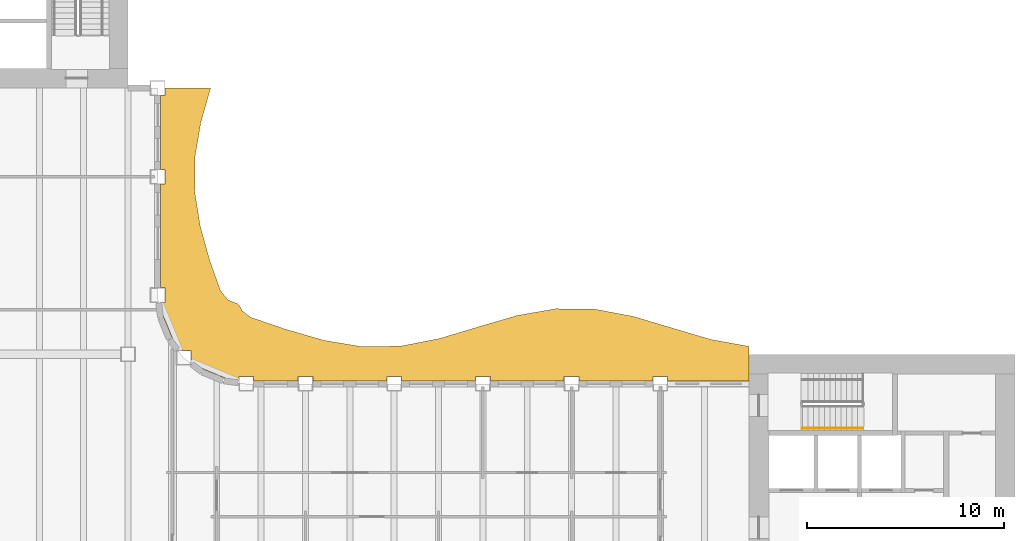
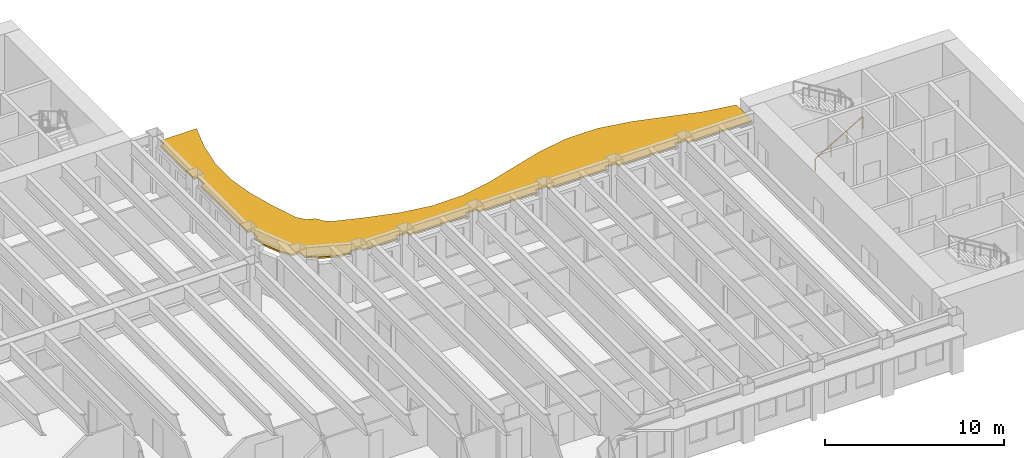
# One storey, part 15 of 17: 1 railing, 1 shading device.
"""IFC4 building model written with IfcOpenShell, lengths in metres."""

from ifc_helpers import new_model, si_unit, direction, frame, origin, origin_2d, place, context, subcontext, project, spatial, polyline, rectangle, outline, extrude, material, layer, layer_set, type_object, element, save


model = new_model("IFC4")

# Units and contexts
model_context = context("Model", 3, precision=1e-05, world=origin(), true_north=direction((0.0, 1.0)))
body_context = subcontext(model_context, "Body", "Model", "MODEL_VIEW")
ifc_project = project(units=[si_unit("LENGTHUNIT", "METRE"), si_unit("AREAUNIT", "SQUARE_METRE"), si_unit("VOLUMEUNIT", "CUBIC_METRE"), si_unit("PLANEANGLEUNIT", "RADIAN"), si_unit("MASSUNIT", "GRAM", prefix="KILO")], contexts=[model_context])

# Site, building, storey
site_placement = place(None, origin())
site = spatial("IfcSite", under=ifc_project, at=site_placement, CompositionType="ELEMENT")
building_placement = place(site_placement, origin())
building = spatial("IfcBuilding", under=site, at=building_placement, Name="Sennacour Bend Tower", CompositionType="ELEMENT")
storey_placement = place(building_placement, frame((0.0, 0.0, 215.0)))
storey = spatial("IfcBuildingStorey", under=building, at=storey_placement, Name="L49", CompositionType="ELEMENT", Elevation=215.0)

# Railing
ifc_material_1 = material(Name="Stainless steel", Category="steel")
railing_type = type_object("IfcRailingType", Name="RL-HANDRAIL-900", PredefinedType="HANDRAIL", material=ifc_material_1)
railing_placement = place(storey_placement, frame((56.699951171875, 18.75, 0.166748046875)))
element("IfcRailing", 1, at=railing_placement, inside=storey, type_object=railing_type, Name="L49 SA2 stair handrail 1", PredefinedType="HANDRAIL", context=body_context, shape_type="SweptSolid", body=[
    extrude(rectangle(XDim=0.048095703125, YDim=0.048095703125, at=origin_2d()), frame((0.0, 0.0, 0.8759765625), z_axis=(0.859308565015, 0.0, 0.511457515432), x_axis=(0.0, 1.0, 0.0)), (0.0, 0.0, 1.0), 3.58447265625),
    extrude(rectangle(XDim=0.0419921875, YDim=0.0419921875, at=origin_2d()), origin(), (0.0, 0.0, 1.0), 0.851806640625),
    extrude(rectangle(XDim=0.0419921875, YDim=0.0419921875, at=origin_2d()), frame((1.026611328125, 0.0, 0.611083984375)), (0.0, 0.0, 1.0), 0.851806640625),
    extrude(rectangle(XDim=0.0419921875, YDim=0.0419921875, at=origin_2d()), frame((2.053466796875, 0.0, 1.22216796875)), (0.0, 0.0, 1.0), 0.851806640625),
    extrude(rectangle(XDim=0.0419921875, YDim=0.0419921875, at=origin_2d()), frame((3.080078125, 0.0, 1.833251953125)), (0.0, 0.0, 1.0), 0.851806640625),
])

# Shading device
ifc_material_2 = material(Name="Bronze anodised aluminium", Category="aluminium")
ifc_layer = layer(ifc_material_2, 0.1201171875, Name="Bronze anodised aluminium", Category="aluminium")
ifc_layer_set = layer_set([ifc_layer], Name="Bronze anodised aluminium")
shading_device_type = type_object("IfcShadingDeviceType", Name="SUNSHADE BAND WAVE", PredefinedType="USERDEFINED", material=ifc_layer_set)
shading_device_placement = place(storey_placement, frame((0.0, 0.0, 3.037109375)))
element("IfcShadingDevice", 2, at=shading_device_placement, inside=storey, type_object=shading_device_type, Name="Sunshade band L49 concave faces", ObjectType="SUNSHADE", PredefinedType="USERDEFINED", context=body_context, shape_type="SweptSolid", body=[
    extrude(outline(polyline([(54.0, 21.14990234375), (49.875, 21.14990234375), (49.875, 21.375), (49.125, 21.375), (49.125, 21.14990234375), (45.375, 21.14990234375), (45.375, 21.375), (44.625, 21.375), (44.625, 21.14990234375), (40.875, 21.14990234375), (40.875, 21.375), (40.125, 21.375), (40.125, 21.14990234375), (36.375, 21.14990234375), (36.375, 21.375), (35.625, 21.375), (35.625, 21.14990234375), (31.875, 21.14990234375), (31.875, 21.375), (31.125, 21.375), (31.125, 21.14990234375), (28.875, 21.14990234375), (28.875, 21.375), (28.125, 21.375), (28.125, 21.20068359375), (27.37451171875, 21.299560546875), (26.32568359375, 21.73388671875), (25.693115234375, 22.21923828125), (25.693115234375, 22.693115234375), (25.21923828125, 22.693115234375), (24.73388671875, 23.32568359375), (24.299560546875, 24.37451171875), (24.20068359375, 25.125), (24.375, 25.125), (24.375, 25.875), (24.14990234375, 25.875), (24.14990234375, 31.125), (24.375, 31.125), (24.375, 31.875), (24.14990234375, 31.875), (24.14990234375, 35.625), (24.375, 35.625), (24.375, 36.0), (26.6884765625, 36.0), (26.1923828125, 34.25), (25.89404296875, 32.5), (25.883056640625, 30.75), (26.16259765625, 29.0), (26.648681640625, 27.25), (27.195556640625, 25.70947265625), (27.576416015625, 25.25244140625), (28.060302734375, 25.060302734375), (28.1728515625, 24.93359375), (28.287841796875, 24.7080078125), (28.72119140625, 24.37451171875), (30.46142578125, 23.77978515625), (32.423095703125, 23.211181640625), (34.384521484375, 22.882568359375), (36.34619140625, 22.91650390625), (38.3076171875, 23.30078125), (40.269287109375, 23.89111328125), (42.230712890625, 24.4658203125), (44.1923828125, 24.809814453125), (46.15380859375, 24.793701171875), (48.115478515625, 24.423583984375), (50.076904296875, 23.83837890625), (52.03857421875, 23.257568359375), (54.0, 22.89892578125), (54.0, 21.14990234375)])), origin(), (0.0, 0.0, 1.0), 0.119873046875),
])

save(model, "model.ifc")
